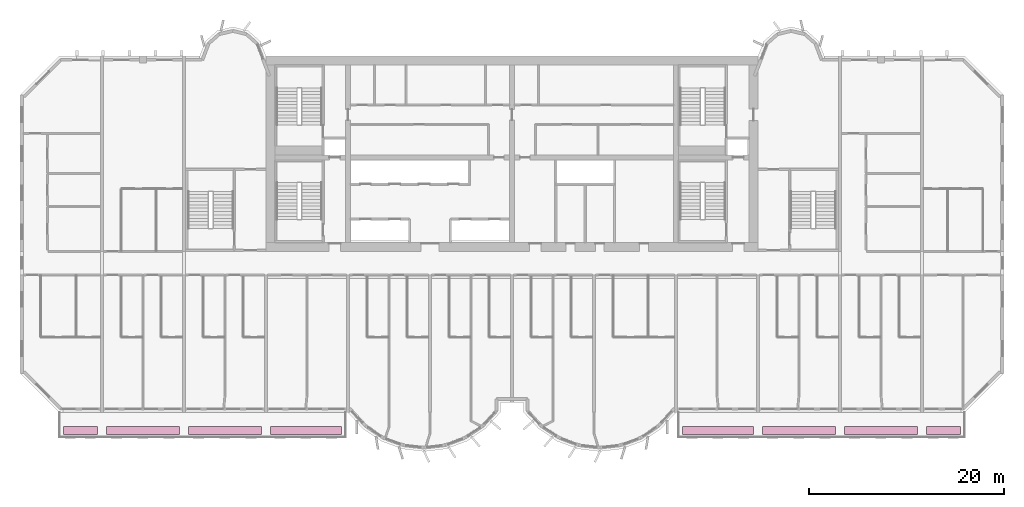
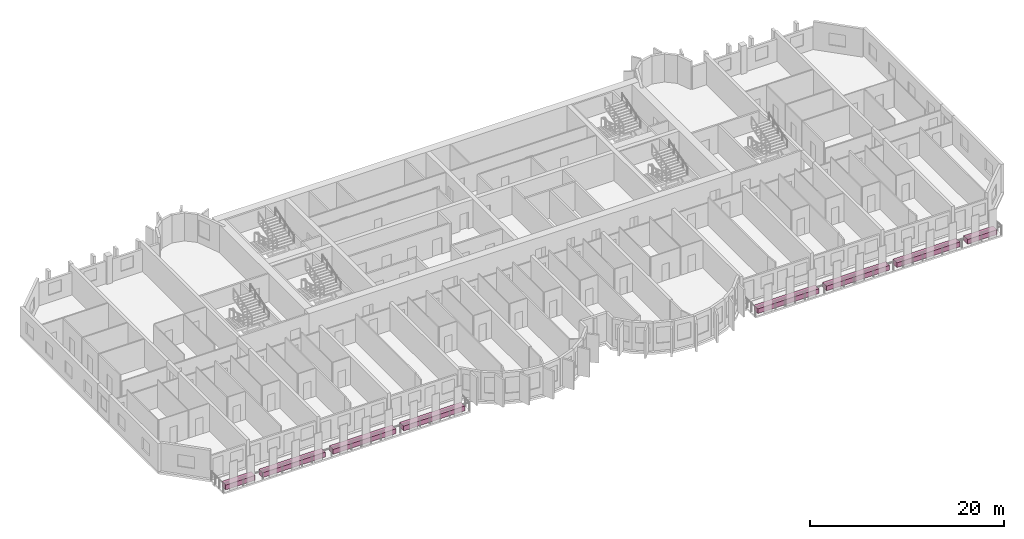
# One storey, part 14 of 14: 8 furniture elements.
"""IFC4 building model written with IfcOpenShell, lengths in metres."""

import ifcopenshell
import ifcopenshell.guid

model = None  # the IFC model being written
_history = None  # IfcOwnerHistory: only IFC2X3 demands one
_inside = {}  # id of a spatial element -> (the spatial element, [elements in it])
_under = {}  # id of a project, library or spatial element -> (it, [spatial elements below it])
_declared = {}  # id of a project -> (the project, [libraries it declares])
_typed = {}  # id of a type object -> (the type object, [elements of that type])
_made_of = {}  # id of a material, layer set ... -> (it, [elements and type objects made of it])


def new_model(schema):
    """Start an empty IFC model of exactly this schema.

    Asked for "IFC4X3", IfcOpenShell would pick the latest addendum, in which some entities
    have other attributes; the version numbers below select the first issue.
    IFC2X3 requires an IfcOwnerHistory on every rooted entity: one is made here for all.
    """
    global model, _history
    if schema == "IFC4X3":
        model = ifcopenshell.file(schema_version=(4, 3, 0, 0))
    else:
        model = ifcopenshell.file(schema=schema)
    _inside.clear()
    _under.clear()
    _declared.clear()
    _typed.clear()
    _made_of.clear()
    _history = None
    if model.schema == "IFC2X3":
        org = make("IfcOrganization", Name="unknown")
        user = make(
            "IfcPersonAndOrganization",
            ThePerson=make("IfcPerson", FamilyName="unknown"),
            TheOrganization=org,
        )
        app = make(
            "IfcApplication",
            ApplicationDeveloper=org,
            Version="unknown",
            ApplicationFullName="unknown",
            ApplicationIdentifier="unknown",
        )
        _history = make(
            "IfcOwnerHistory",
            OwningUser=user,
            OwningApplication=app,
            ChangeAction="ADDED",
            CreationDate=0,
        )
    return model


def make(cls, **values):
    """One entity of the class cls with the attributes given. An attribute that is None is left unset."""
    return model.create_entity(
        cls, **{name: value for name, value in values.items() if value is not None}
    )


def rooted(cls, **values):
    """An entity with a GlobalId (a new one), such as an element, a storey or a relation."""
    return make(cls, GlobalId=ifcopenshell.guid.new(), OwnerHistory=_history, **values)


def si_unit(unit_type, name, prefix=None):
    """IfcSIUnit, for example si_unit("LENGTHUNIT", "METRE", prefix="MILLI")."""
    return make("IfcSIUnit", UnitType=unit_type, Prefix=prefix, Name=name)


def assignment(units):
    """IfcUnitAssignment: the units of a project."""
    return None if units is None else make("IfcUnitAssignment", Units=units)


def point(xyz):
    """IfcCartesianPoint."""
    return None if xyz is None else make("IfcCartesianPoint", Coordinates=xyz)


def direction(xyz):
    """IfcDirection."""
    return None if xyz is None else make("IfcDirection", DirectionRatios=xyz)


def frame(location, z_axis=None, x_axis=None):
    """IfcAxis2Placement3D, a coordinate frame: its origin and axes. An axis left out is left unset."""
    return make(
        "IfcAxis2Placement3D",
        Location=point(location),
        Axis=direction(z_axis),
        RefDirection=direction(x_axis),
    )


def frame_2d(location, x_axis=None):
    """IfcAxis2Placement2D, a coordinate frame in the plane: its origin and x axis."""
    return make(
        "IfcAxis2Placement2D", Location=point(location), RefDirection=direction(x_axis)
    )


def origin():
    """The frame at (0, 0, 0) with its axes left unset."""
    return frame((0.0, 0.0, 0.0))


def origin_2d():
    """The frame at (0, 0) in the plane with its x axis left unset."""
    return frame_2d((0.0, 0.0))


def place(relative_to, where):
    """IfcLocalPlacement: puts the frame where relative to a parent placement (None: the world)."""
    return make(
        "IfcLocalPlacement", PlacementRelTo=relative_to, RelativePlacement=where
    )


def context(
    kind, dimensions, precision=None, world=None, true_north=None, identifier=None
):
    """IfcGeometricRepresentationContext, for example the 3D "Model" context."""
    return make(
        "IfcGeometricRepresentationContext",
        ContextIdentifier=identifier,
        ContextType=kind,
        CoordinateSpaceDimension=dimensions,
        Precision=precision,
        WorldCoordinateSystem=world,
        TrueNorth=true_north,
    )


def subcontext(parent, identifier, kind, view, scale=None):
    """IfcGeometricRepresentationSubContext, for example "Body" below "Model"."""
    return make(
        "IfcGeometricRepresentationSubContext",
        ContextIdentifier=identifier,
        ContextType=kind,
        ParentContext=parent,
        TargetScale=scale,
        TargetView=view,
    )


def project(units=None, contexts=None):
    """IfcProject with its units and contexts."""
    return rooted(
        "IfcProject",
        Name="project",
        RepresentationContexts=contexts,
        UnitsInContext=assignment(units),
    )


def spatial(cls, under=None, at=None, **own):
    """A site, building, storey or space (cls), placed at a placement, below another one or the project."""
    s = rooted(cls, ObjectPlacement=at, **own)
    if under is not None:
        _under.setdefault(under.id(), (under, []))[1].append(s)
    return s


def profile(cls, at=None, kind="AREA", **sizes):
    """A parametric profile (cls). Its sizes go by their IFC names, for example OverallWidth=200.0."""
    return make(cls, ProfileType=kind, Position=at, **sizes)


def rectangle(**sizes):
    """IfcRectangleProfileDef."""
    return profile("IfcRectangleProfileDef", **sizes)


def extrude(swept, where, along, depth):
    """IfcExtrudedAreaSolid: the profile swept, set in the frame where, extruded along a direction by depth."""
    return make(
        "IfcExtrudedAreaSolid",
        SweptArea=swept,
        Position=where,
        ExtrudedDirection=direction(along),
        Depth=depth,
    )


def shape(context_of_items, identifier, shape_type, items):
    """IfcShapeRepresentation: the items that make up one representation, for example the "Body"."""
    return make(
        "IfcShapeRepresentation",
        ContextOfItems=context_of_items,
        RepresentationIdentifier=identifier,
        RepresentationType=shape_type,
        Items=items,
    )


def source(mapping_origin, context_of_items, identifier, shape_type, items):
    """IfcRepresentationMap: a shape defined once, which mapped items show again and again."""
    return make(
        "IfcRepresentationMap",
        MappingOrigin=mapping_origin,
        MappedRepresentation=shape(context_of_items, identifier, shape_type, items),
    )


def transform(
    local_origin,
    x_axis=None,
    y_axis=None,
    z_axis=None,
    scale=None,
    scale2=None,
    scale3=None,
    uniform=True,
):
    """IfcCartesianTransformationOperator3D, or its non-uniform kind. x_axis, y_axis, z_axis: its Axis1, 2, 3."""
    if uniform:
        return make(
            "IfcCartesianTransformationOperator3D",
            Axis1=direction(x_axis),
            Axis2=direction(y_axis),
            LocalOrigin=point(local_origin),
            Scale=scale,
            Axis3=direction(z_axis),
        )
    return make(
        "IfcCartesianTransformationOperator3DnonUniform",
        Axis1=direction(x_axis),
        Axis2=direction(y_axis),
        LocalOrigin=point(local_origin),
        Scale=scale,
        Axis3=direction(z_axis),
        Scale2=scale2,
        Scale3=scale3,
    )


def mapped(mapping_source, mapping_target):
    """IfcMappedItem: shows the shape of a source again, moved by a transform."""
    return make(
        "IfcMappedItem", MappingSource=mapping_source, MappingTarget=mapping_target
    )


def material(Name=None, Category=None):
    """IfcMaterial."""
    return make("IfcMaterial", Name=Name, Category=Category)


def made_of(thing, what):
    """Note that an element or type object is made of a material, layer set ...; save() writes the relation."""
    if what is not None:
        _made_of.setdefault(what.id(), (what, []))[1].append(thing)
    return thing


def type_object(cls, material=None, **own):
    """A type object (cls), such as IfcWallType, which elements share."""
    return made_of(rooted(cls, **own), material)


def element(
    cls,
    number,
    at=None,
    inside=None,
    cuts=None,
    type_object=None,
    material=None,
    context=None,
    identifier="Body",
    shape_type=None,
    held_by="IfcProductDefinitionShape",
    body=None,
    shapes=None,
    **own,
):
    """One element of the class cls, such as IfcWall. Its Tag is "e" and its number.

    at: its placement. inside: the storey or other place that contains it. cuts: it is an
    opening in that element (IfcRelVoidsElement). A single representation is given by context,
    identifier, shape_type and body (its items); several are given by shapes. held_by: the class
    of the entity that holds the representations. save() writes the other relations.
    """
    e = rooted(cls, Tag="e%d" % number, ObjectPlacement=at, **own)
    if body is not None:
        shapes = [shape(context, identifier, shape_type, body)]
    if shapes is not None:
        e.Representation = make(held_by, Representations=shapes)
    if inside is not None:
        _inside.setdefault(inside.id(), (inside, []))[1].append(e)
    if cuts is not None:
        rooted(
            "IfcRelVoidsElement", RelatingBuildingElement=cuts, RelatedOpeningElement=e
        )
    if type_object is not None:
        _typed.setdefault(type_object.id(), (type_object, []))[1].append(e)
    return made_of(e, material)


def aggregate(whole, parts):
    """IfcRelAggregates: a whole, such as a stair, and the parts it consists of."""
    return rooted("IfcRelAggregates", RelatingObject=whole, RelatedObjects=parts)


def save(model, path):
    """Write the relations noted so far, then the file.

    IfcRelAggregates (storeys below a building ...), IfcRelContainedInSpatialStructure (elements
    in a storey), IfcRelDefinesByType, IfcRelAssociatesMaterial and IfcRelDeclares: one each for
    every whole, place, type object, material and project.
    """
    for whole, parts in _under.values():
        aggregate(whole, parts)
    for where, things in _inside.values():
        rooted(
            "IfcRelContainedInSpatialStructure",
            RelatedElements=things,
            RelatingStructure=where,
        )
    for kind, things in _typed.values():
        rooted("IfcRelDefinesByType", RelatedObjects=things, RelatingType=kind)
    for what, things in _made_of.values():
        rooted("IfcRelAssociatesMaterial", RelatedObjects=things, RelatingMaterial=what)
    for by, libraries in _declared.values():
        rooted("IfcRelDeclares", RelatingContext=by, RelatedDefinitions=libraries)
    model.write(path)


model = new_model("IFC4")

# Units and contexts
model_context = context("Model", 3, precision=1e-05, world=origin(), true_north=direction((0.0, 1.0)))
body_context = subcontext(model_context, "Body", "Model", "MODEL_VIEW")
ifc_project = project(units=[si_unit("LENGTHUNIT", "METRE"), si_unit("AREAUNIT", "SQUARE_METRE"), si_unit("VOLUMEUNIT", "CUBIC_METRE"), si_unit("PLANEANGLEUNIT", "RADIAN"), si_unit("MASSUNIT", "GRAM", prefix="KILO")], contexts=[model_context])

# Site, building, storey
site_placement = place(None, origin())
site = spatial("IfcSite", under=ifc_project, at=site_placement, CompositionType="ELEMENT")
building_placement = place(site_placement, origin())
building = spatial("IfcBuilding", under=site, at=building_placement, Name="Vanashikhar Sky Hotel", CompositionType="ELEMENT")
storey_placement = place(building_placement, frame((0.0, 0.0, 129.39990234375)))
storey = spatial("IfcBuildingStorey", under=building, at=storey_placement, Name="L31", CompositionType="ELEMENT", Elevation=129.39990234375)

# Furniture
ifc_material = material(Name="Planting soil and shrubs")
furniture_type = type_object("IfcFurnitureType", Name="Planter trough", AssemblyPlace="NOTDEFINED", PredefinedType="USERDEFINED", material=ifc_material)
shared_shape_1 = source(origin(), body_context, "Body", "SweptSolid", [
    extrude(rectangle(XDim=3.5, YDim=0.800048828125, at=origin_2d()), origin(), (0.0, 0.0, 1.0), 0.60009765625),
])
for number, where, z_axis, x_axis, name in (
    (1, (6.199951171875, 3.64990234375, -0.050048828125), (0.0, 0.0, 1.0), (1.0, 0.0, 0.0), "PLANTER with climbers"),
    (2, (94.60009765625, 3.64990234375, -0.050048828125), (0.0, 0.0, 1.0), (1.0, 0.0, 0.0), "PLANTER with climbers"),
):
    element("IfcFurniture", number, at=place(storey_placement, frame(where, z_axis=z_axis, x_axis=x_axis)), inside=storey, type_object=furniture_type, Name=name, ObjectType="PLANTER", PredefinedType="USERDEFINED", context=body_context, shape_type="MappedRepresentation", body=[
        mapped(shared_shape_1, transform((0.0, 0.0, 0.0), scale=1.0)),
    ])
shared_shape_2 = source(origin(), body_context, "Body", "SweptSolid", [
    extrude(rectangle(XDim=7.5, YDim=0.800048828125, at=origin_2d()), origin(), (0.0, 0.0, 1.0), 0.60009765625),
])
for number, where, z_axis, x_axis, name in (
    (3, (12.60009765625, 3.64990234375, -0.050048828125), (0.0, 0.0, 1.0), (1.0, 0.0, 0.0), "PLANTER with climbers"),
    (4, (21.0, 3.64990234375, -0.050048828125), (0.0, 0.0, 1.0), (1.0, 0.0, 0.0), "PLANTER with climbers"),
    (5, (79.800048828125, 3.64990234375, -0.050048828125), (0.0, 0.0, 1.0), (1.0, 0.0, 0.0), "PLANTER with climbers"),
    (6, (88.199951171875, 3.64990234375, -0.050048828125), (0.0, 0.0, 1.0), (1.0, 0.0, 0.0), "PLANTER with climbers"),
):
    element("IfcFurniture", number, at=place(storey_placement, frame(where, z_axis=z_axis, x_axis=x_axis)), inside=storey, type_object=furniture_type, Name=name, ObjectType="PLANTER", PredefinedType="USERDEFINED", context=body_context, shape_type="MappedRepresentation", body=[
        mapped(shared_shape_2, transform((0.0, 0.0, 0.0), scale=1.0)),
    ])
shared_shape_3 = source(origin(), body_context, "Body", "SweptSolid", [
    extrude(rectangle(XDim=7.300048828125, YDim=0.800048828125, at=origin_2d()), origin(), (0.0, 0.0, 1.0), 0.60009765625),
])
for number, where, z_axis, x_axis, name in (
    (7, (29.300048828125, 3.64990234375, -0.050048828125), (0.0, 0.0, 1.0), (1.0, 0.0, 0.0), "PLANTER with climbers"),
    (8, (71.5, 3.64990234375, -0.050048828125), (0.0, 0.0, 1.0), (1.0, 0.0, 0.0), "PLANTER with climbers"),
):
    element("IfcFurniture", number, at=place(storey_placement, frame(where, z_axis=z_axis, x_axis=x_axis)), inside=storey, type_object=furniture_type, Name=name, ObjectType="PLANTER", PredefinedType="USERDEFINED", context=body_context, shape_type="MappedRepresentation", body=[
        mapped(shared_shape_3, transform((0.0, 0.0, 0.0), scale=1.0)),
    ])

save(model, "model.ifc")
